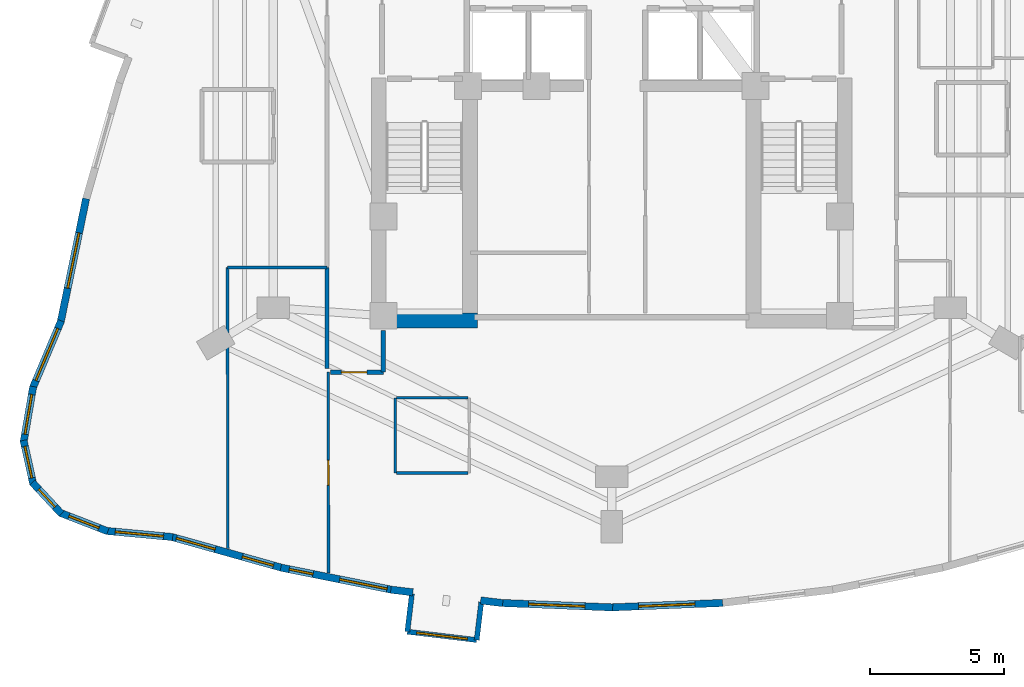
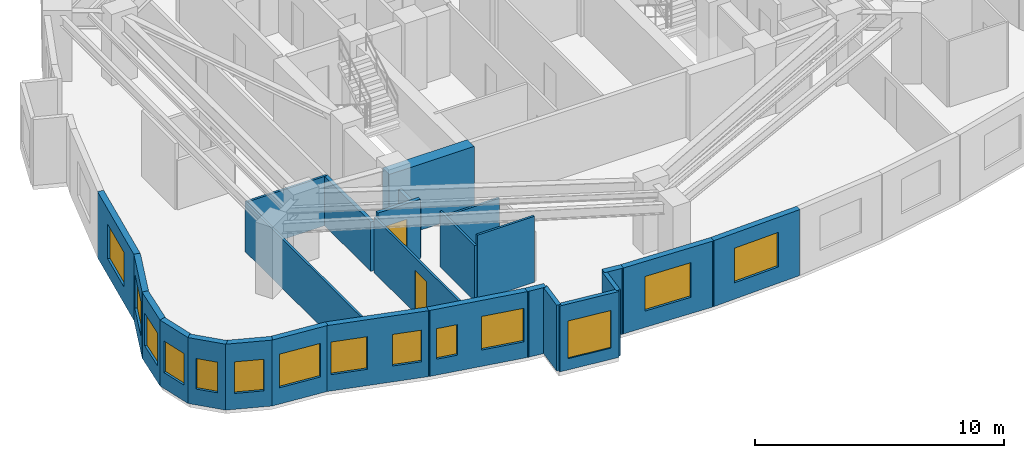
# One storey, part 4 of 10: 26 walls, 14 windows, 2 doors, 16 openings.
"""IFC4 building model written with IfcOpenShell, lengths in metres."""

from ifc_helpers import new_model, si_unit, direction, frame, frame_2d, origin, place, context, subcontext, project, spatial, rectangle, extrude, material, layer, layer_set, type_object, element, fill, save


model = new_model("IFC4")

# Units and contexts
model_context = context("Model", 3, precision=1e-05, world=origin(), true_north=direction((0.0, 1.0)))
body_context = subcontext(model_context, "Body", "Model", "MODEL_VIEW")
ifc_project = project(units=[si_unit("LENGTHUNIT", "METRE"), si_unit("AREAUNIT", "SQUARE_METRE"), si_unit("VOLUMEUNIT", "CUBIC_METRE"), si_unit("PLANEANGLEUNIT", "RADIAN"), si_unit("MASSUNIT", "GRAM", prefix="KILO")], contexts=[model_context])

# Site, building, storey
site_placement = place(None, origin())
site = spatial("IfcSite", under=ifc_project, at=site_placement, CompositionType="ELEMENT")
building_placement = place(site_placement, origin())
building = spatial("IfcBuilding", under=site, at=building_placement, Name="Miruveldt Soraemaru", CompositionType="ELEMENT")
storey_placement = place(building_placement, frame((0.0, 0.0, 124.89990234375)))
storey = spatial("IfcBuildingStorey", under=building, at=storey_placement, Name="L34", CompositionType="ELEMENT", Elevation=124.89990234375)

# Walls
ifc_material_1 = material(Name="White powder-coated aluminium EN AW-6060 T6", Category="aluminium")
ifc_layer_1 = layer(ifc_material_1, 0.18994140625, Name="White powder-coated aluminium EN AW-6060 T6", Category="aluminium")
ifc_layer_set_1 = layer_set([ifc_layer_1], Name="White powder-coated aluminium EN AW-6060 T6")
wall_type_1 = type_object("IfcWallType", Name="WALL-BAY-ALU190", PredefinedType="SOLIDWALL", material=ifc_layer_set_1)
for number, where, z_axis, x_axis, name in (
    (1, (36.5615234375, 25.156005859375, 0.0), (0.0, 0.0, 1.0), (-0.119077659317, -0.992884943511, 0.0), "L34 Bay Window Side Cheek 2L"),
    (2, (38.973388671875, 23.431396484375, 0.0), (0.0, 0.0, 1.0), (0.119077659317, 0.992884943511, 0.0), "L34 Bay Window Side Cheek 2R"),
):
    element("IfcWall", number, at=place(storey_placement, frame(where, z_axis=z_axis, x_axis=x_axis)), inside=storey, type_object=wall_type_1, Name=name, PredefinedType="SOLIDWALL", context=body_context, shape_type="SweptSolid", body=[
        extrude(rectangle(XDim=1.425048828125, YDim=0.18994140625, at=frame_2d((0.71240234375, 0.0))), origin(), (0.0, 0.0, 1.0), 3.235107421875),
    ])

# Wall, opening, window
wall_1_placement = place(storey_placement, frame((36.391845703125, 23.7412109375, 0.0), z_axis=(0.0, 0.0, 1.0), x_axis=(0.99287550549, -0.119156328397, 0.0)))
wall_1 = element("IfcWall", 3, at=wall_1_placement, inside=storey, type_object=wall_type_1, Name="L34 Bay Window Front Frame 2", PredefinedType="SOLIDWALL", context=body_context, shape_type="SweptSolid", body=[
    extrude(rectangle(XDim=2.60009765625, YDim=0.18994140625, at=frame_2d((1.300048828125, 0.0))), origin(), (0.0, 0.0, 1.0), 3.235107421875),
])
opening_1_placement = place(wall_1_placement, frame((0.35009765625, 0.0, 0.550048828125)))
opening_1 = element("IfcOpeningElement", 4, at=opening_1_placement, cuts=wall_1, Name="Opening WN-6", PredefinedType="OPENING", context=body_context, shape_type="SweptSolid", body=[
    extrude(rectangle(XDim=1.89990234375, YDim=1.85009765625, at=frame_2d((0.949951171875, 0.925048828125))), frame((0.0, 0.10498046875, 0.0), z_axis=(0.0, -1.0, 0.0), x_axis=(1.0, 0.0, 0.0)), (0.0, 0.0, 1.0), 0.2099609375),
])
ifc_material_2 = material(Name="Triple low-e insulated glazing", Category="glass")
window_type_1 = type_object("IfcWindowType", Name="WIN-BAYW-1900x1850", PartitioningType="SINGLE_PANEL", PredefinedType="WINDOW", material=ifc_material_2)
window_1_placement = place(opening_1_placement, origin())
window_1 = element("IfcWindow", 5, at=window_1_placement, inside=storey, type_object=window_type_1, Name="L34 Projecting Bay Window 2", OverallHeight=1.85009765625, OverallWidth=1.89990234375, PartitioningType="SINGLE_PANEL", PredefinedType="WINDOW", context=body_context, shape_type="SweptSolid", body=[
    extrude(rectangle(XDim=1.89990234375, YDim=1.85009765625, at=frame_2d((0.949951171875, 0.925048828125))), frame((0.0, 0.030029296875, 0.0), z_axis=(0.0, -1.0, 0.0), x_axis=(1.0, 0.0, 0.0)), (0.0, 0.0, 1.0), 0.06005859375),
])
fill(opening_1, window_1)

# Wall
ifc_material_3 = material(Name="Concrete C70/85 (70 MPa)", Category="concrete")
ifc_layer_2 = layer(ifc_material_3, 0.550048828125, Name="Concrete C70/85 (70 MPa)", Category="concrete")
ifc_layer_set_2 = layer_set([ifc_layer_2], Name="Concrete C70/85 (70 MPa)")
wall_type_2 = type_object("IfcWallType", Name="WALL-CW-550", PredefinedType="SHEAR", material=ifc_layer_set_2)
wall_2_placement = place(storey_placement, frame((35.050048828125, 35.324951171875, 0.0), z_axis=(0.0, 0.0, 1.0), x_axis=(1.0, 0.0, 0.0)))
element("IfcWall", 6, at=wall_2_placement, inside=storey, type_object=wall_type_2, Name="L34 Central Core Shear Wall S1", PredefinedType="SHEAR", context=body_context, shape_type="SweptSolid", body=[
    extrude(rectangle(XDim=3.949951171875, YDim=0.550048828125, at=frame_2d((1.97509765625, 0.0))), origin(), (0.0, 0.0, 1.0), 3.235107421875),
])

# Wall, opening, window
ifc_material_4 = material(Name="Precast concrete C45/55 (45 MPa)", Category="concrete")
ifc_layer_3 = layer(ifc_material_4, 0.27001953125, Name="Precast concrete C45/55 (45 MPa)", Category="concrete")
ifc_layer_set_3 = layer_set([ifc_layer_3], Name="Precast concrete C45/55 (45 MPa)")
wall_type_3 = type_object("IfcWallType", Name="WALL-EXT-PC270", PredefinedType="SOLIDWALL", material=ifc_layer_set_3)
wall_3_placement = place(storey_placement, frame((24.433837890625, 39.861083984375, 0.0), z_axis=(0.0, 0.0, 1.0), x_axis=(-0.201556379957, -0.979476914327, 0.0)))
wall_3 = element("IfcWall", 7, at=wall_3_placement, inside=storey, type_object=wall_type_3, Name="L34 Precast Concrete Facade Wall 14", PredefinedType="SOLIDWALL", context=body_context, shape_type="SweptSolid", body=[
    extrude(rectangle(XDim=4.70947265625, YDim=0.27001953125, at=frame_2d((2.354736328125, 0.0))), origin(), (0.0, 0.0, 1.0), 3.235107421875),
])
opening_2_placement = place(wall_3_placement, frame((1.303955078125, 0.0, 0.800048828125)))
opening_2 = element("IfcOpeningElement", 8, at=opening_2_placement, cuts=wall_3, Name="Opening WN-1", PredefinedType="OPENING", context=body_context, shape_type="SweptSolid", body=[
    extrude(rectangle(XDim=2.10009765625, YDim=1.699951171875, at=frame_2d((1.050048828125, 0.85009765625))), frame((0.0, 0.14501953125, 0.0), z_axis=(0.0, -1.0, 0.0), x_axis=(1.0, 0.0, 0.0)), (0.0, 0.0, 1.0), 0.2900390625),
])
window_type_2 = type_object("IfcWindowType", Name="WIN-PUNCH-2100x1700", PartitioningType="SINGLE_PANEL", PredefinedType="WINDOW", material=ifc_material_2)
window_2_placement = place(opening_2_placement, origin())
window_2 = element("IfcWindow", 9, at=window_2_placement, inside=storey, type_object=window_type_2, Name="L34 Punched Triple-Glazed Window 14.1", OverallHeight=1.699951171875, OverallWidth=2.10009765625, PartitioningType="SINGLE_PANEL", PredefinedType="WINDOW", context=body_context, shape_type="SweptSolid", body=[
    extrude(rectangle(XDim=2.10009765625, YDim=1.699951171875, at=frame_2d((1.050048828125, 0.85009765625))), frame((0.0, 0.030029296875, 0.0), z_axis=(0.0, -1.0, 0.0), x_axis=(1.0, 0.0, 0.0)), (0.0, 0.0, 1.0), 0.06005859375),
])
fill(opening_2, window_2)

wall_4_placement = place(storey_placement, frame((23.505126953125, 35.31494140625, 0.0), z_axis=(0.0, 0.0, 1.0), x_axis=(-0.388620980752, -0.921397706378, 0.0)))
wall_4 = element("IfcWall", 10, at=wall_4_placement, inside=storey, type_object=wall_type_3, Name="L34 Precast Concrete Facade Wall 15", PredefinedType="SOLIDWALL", context=body_context, shape_type="SweptSolid", body=[
    extrude(rectangle(XDim=2.728271484375, YDim=0.27001953125, at=frame_2d((1.3642578125, 0.0))), origin(), (0.0, 0.0, 1.0), 3.235107421875),
])
opening_3_placement = place(wall_4_placement, frame((0.31396484375, 0.0, 0.800048828125)))
opening_3 = element("IfcOpeningElement", 11, at=opening_3_placement, cuts=wall_4, Name="Opening WN-1", PredefinedType="OPENING", context=body_context, shape_type="SweptSolid", body=[
    extrude(rectangle(XDim=2.10009765625, YDim=1.699951171875, at=frame_2d((1.050048828125, 0.85009765625))), frame((0.0, 0.14501953125, 0.0), z_axis=(0.0, -1.0, 0.0), x_axis=(1.0, 0.0, 0.0)), (0.0, 0.0, 1.0), 0.2900390625),
])
window_3_placement = place(opening_3_placement, origin())
window_3 = element("IfcWindow", 12, at=window_3_placement, inside=storey, type_object=window_type_2, Name="L34 Punched Triple-Glazed Window 15.1", OverallHeight=1.699951171875, OverallWidth=2.10009765625, PartitioningType="SINGLE_PANEL", PredefinedType="WINDOW", context=body_context, shape_type="SweptSolid", body=[
    extrude(rectangle(XDim=2.10009765625, YDim=1.699951171875, at=frame_2d((1.050048828125, 0.85009765625))), frame((0.0, 0.030029296875, 0.0), z_axis=(0.0, -1.0, 0.0), x_axis=(1.0, 0.0, 0.0)), (0.0, 0.0, 1.0), 0.06005859375),
])
fill(opening_3, window_3)

wall_5_placement = place(storey_placement, frame((22.46435546875, 32.867919921875, 0.0), z_axis=(0.0, 0.0, 1.0), x_axis=(-0.169234430957, -0.985575825281, 0.0)))
wall_5 = element("IfcWall", 13, at=wall_5_placement, inside=storey, type_object=wall_type_3, Name="L34 Precast Concrete Facade Wall 16", PredefinedType="SOLIDWALL", context=body_context, shape_type="SweptSolid", body=[
    extrude(rectangle(XDim=2.103271484375, YDim=0.27001953125, at=frame_2d((1.0517578125, 0.0))), origin(), (0.0, 0.0, 1.0), 3.235107421875),
])
opening_4_placement = place(wall_5_placement, frame((0.302001953125, 0.0, 0.800048828125)))
opening_4 = element("IfcOpeningElement", 14, at=opening_4_placement, cuts=wall_5, Name="Opening WN-3", PredefinedType="OPENING", context=body_context, shape_type="SweptSolid", body=[
    extrude(rectangle(XDim=1.5, YDim=1.60009765625, at=frame_2d((0.75, 0.800048828125))), frame((0.0, 0.14501953125, 0.0), z_axis=(0.0, -1.0, 0.0), x_axis=(1.0, 0.0, 0.0)), (0.0, 0.0, 1.0), 0.2900390625),
])
window_type_3 = type_object("IfcWindowType", Name="WIN-PUNCH-1500x1600", PartitioningType="SINGLE_PANEL", PredefinedType="WINDOW", material=ifc_material_2)
window_4_placement = place(opening_4_placement, origin())
window_4 = element("IfcWindow", 15, at=window_4_placement, inside=storey, type_object=window_type_3, Name="L34 Punched Triple-Glazed Window 16.1", OverallHeight=1.60009765625, OverallWidth=1.5, PartitioningType="SINGLE_PANEL", PredefinedType="WINDOW", context=body_context, shape_type="SweptSolid", body=[
    extrude(rectangle(XDim=1.5, YDim=1.60009765625, at=frame_2d((0.75, 0.800048828125))), frame((0.0, 0.030029296875, 0.0), z_axis=(0.0, -1.0, 0.0), x_axis=(1.0, 0.0, 0.0)), (0.0, 0.0, 1.0), 0.06005859375),
])
fill(opening_4, window_4)

wall_6_placement = place(storey_placement, frame((22.106689453125, 30.863525390625, 0.0), z_axis=(0.0, 0.0, 1.0), x_axis=(0.215658248495, -0.976468903681, 0.0)))
wall_6 = element("IfcWall", 16, at=wall_6_placement, inside=storey, type_object=wall_type_3, Name="L34 Precast Concrete Facade Wall 17", PredefinedType="SOLIDWALL", context=body_context, shape_type="SweptSolid", body=[
    extrude(rectangle(XDim=1.66650390625, YDim=0.27001953125, at=frame_2d((0.833251953125, 0.0))), origin(), (0.0, 0.0, 1.0), 3.235107421875),
])
opening_5_placement = place(wall_6_placement, frame((0.23291015625, 0.0, 0.780029296875)))
opening_5 = element("IfcOpeningElement", 17, at=opening_5_placement, cuts=wall_6, Name="Opening WN-4", PredefinedType="OPENING", context=body_context, shape_type="SweptSolid", body=[
    extrude(rectangle(XDim=1.199951171875, YDim=1.550048828125, at=frame_2d((0.60009765625, 0.77490234375))), frame((0.0, 0.14501953125, 0.0), z_axis=(0.0, -1.0, 0.0), x_axis=(1.0, 0.0, 0.0)), (0.0, 0.0, 1.0), 0.2900390625),
])
window_type_4 = type_object("IfcWindowType", Name="WIN-PUNCH-1200x1550", PartitioningType="SINGLE_PANEL", PredefinedType="WINDOW", material=ifc_material_2)
window_5_placement = place(opening_5_placement, origin())
window_5 = element("IfcWindow", 18, at=window_5_placement, inside=storey, type_object=window_type_4, Name="L34 Punched Triple-Glazed Window 17.1", OverallHeight=1.550048828125, OverallWidth=1.199951171875, PartitioningType="SINGLE_PANEL", PredefinedType="WINDOW", context=body_context, shape_type="SweptSolid", body=[
    extrude(rectangle(XDim=1.199951171875, YDim=1.550048828125, at=frame_2d((0.60009765625, 0.77490234375))), frame((0.0, 0.030029296875, 0.0), z_axis=(0.0, -1.0, 0.0), x_axis=(1.0, 0.0, 0.0)), (0.0, 0.0, 1.0), 0.06005859375),
])
fill(opening_5, window_5)

wall_7_placement = place(storey_placement, frame((22.434814453125, 29.29638671875, 0.0), z_axis=(0.0, 0.0, 1.0), x_axis=(0.680103285959, -0.733116307572, 0.0)))
wall_7 = element("IfcWall", 19, at=wall_7_placement, inside=storey, type_object=wall_type_3, Name="L34 Precast Concrete Facade Wall 18", PredefinedType="SOLIDWALL", context=body_context, shape_type="SweptSolid", body=[
    extrude(rectangle(XDim=1.5888671875, YDim=0.27001953125, at=frame_2d((0.79443359375, 0.0))), origin(), (0.0, 0.0, 1.0), 3.235107421875),
])
opening_6_placement = place(wall_7_placement, frame((0.343994140625, 0.0, 0.780029296875)))
opening_6 = element("IfcOpeningElement", 20, at=opening_6_placement, cuts=wall_7, Name="Opening WN-7", PredefinedType="OPENING", context=body_context, shape_type="SweptSolid", body=[
    extrude(rectangle(XDim=0.89990234375, YDim=1.5, at=frame_2d((0.449951171875, 0.75))), frame((0.0, 0.14501953125, 0.0), z_axis=(0.0, -1.0, 0.0), x_axis=(1.0, 0.0, 0.0)), (0.0, 0.0, 1.0), 0.2900390625),
])
window_type_5 = type_object("IfcWindowType", Name="WIN-PUNCH-900x1500", PartitioningType="SINGLE_PANEL", PredefinedType="WINDOW", material=ifc_material_2)
window_6_placement = place(opening_6_placement, origin())
window_6 = element("IfcWindow", 21, at=window_6_placement, inside=storey, type_object=window_type_5, Name="L34 Punched Triple-Glazed Window 18.1", OverallHeight=1.5, OverallWidth=0.89990234375, PartitioningType="SINGLE_PANEL", PredefinedType="WINDOW", context=body_context, shape_type="SweptSolid", body=[
    extrude(rectangle(XDim=0.89990234375, YDim=1.5, at=frame_2d((0.449951171875, 0.75))), frame((0.0, 0.030029296875, 0.0), z_axis=(0.0, -1.0, 0.0), x_axis=(1.0, 0.0, 0.0)), (0.0, 0.0, 1.0), 0.06005859375),
])
fill(opening_6, window_6)

wall_8_placement = place(storey_placement, frame((23.458984375, 28.169921875, 0.0), z_axis=(0.0, 0.0, 1.0), x_axis=(0.932274534564, -0.361751561438, 0.0)))
wall_8 = element("IfcWall", 22, at=wall_8_placement, inside=storey, type_object=wall_type_3, Name="L34 Precast Concrete Facade Wall 19", PredefinedType="SOLIDWALL", context=body_context, shape_type="SweptSolid", body=[
    extrude(rectangle(XDim=1.916748046875, YDim=0.27001953125, at=frame_2d((0.95849609375, 0.0))), origin(), (0.0, 0.0, 1.0), 3.235107421875),
])
opening_7_placement = place(wall_8_placement, frame((0.35888671875, 0.0, 0.780029296875)))
opening_7 = element("IfcOpeningElement", 23, at=opening_7_placement, cuts=wall_8, Name="Opening WN-4", PredefinedType="OPENING", context=body_context, shape_type="SweptSolid", body=[
    extrude(rectangle(XDim=1.199951171875, YDim=1.550048828125, at=frame_2d((0.60009765625, 0.77490234375))), frame((0.0, 0.14501953125, 0.0), z_axis=(0.0, -1.0, 0.0), x_axis=(1.0, 0.0, 0.0)), (0.0, 0.0, 1.0), 0.2900390625),
])
window_7_placement = place(opening_7_placement, origin())
window_7 = element("IfcWindow", 24, at=window_7_placement, inside=storey, type_object=window_type_4, Name="L34 Punched Triple-Glazed Window 19.1", OverallHeight=1.550048828125, OverallWidth=1.199951171875, PartitioningType="SINGLE_PANEL", PredefinedType="WINDOW", context=body_context, shape_type="SweptSolid", body=[
    extrude(rectangle(XDim=1.199951171875, YDim=1.550048828125, at=frame_2d((0.60009765625, 0.77490234375))), frame((0.0, 0.030029296875, 0.0), z_axis=(0.0, -1.0, 0.0), x_axis=(1.0, 0.0, 0.0)), (0.0, 0.0, 1.0), 0.06005859375),
])
fill(opening_7, window_7)

wall_9_placement = place(storey_placement, frame((25.178466796875, 27.492431640625, 0.0), z_axis=(0.0, 0.0, 1.0), x_axis=(0.995755492047, -0.092038035932, 0.0)))
wall_9 = element("IfcWall", 25, at=wall_9_placement, inside=storey, type_object=wall_type_3, Name="L34 Precast Concrete Facade Wall 20", PredefinedType="SOLIDWALL", context=body_context, shape_type="SweptSolid", body=[
    extrude(rectangle(XDim=2.49072265625, YDim=0.27001953125, at=frame_2d((1.245361328125, 0.0))), origin(), (0.0, 0.0, 1.0), 3.235107421875),
])
opening_8_placement = place(wall_9_placement, frame((0.345947265625, 0.0, 0.800048828125)))
opening_8 = element("IfcOpeningElement", 26, at=opening_8_placement, cuts=wall_9, Name="Opening WN-2", PredefinedType="OPENING", context=body_context, shape_type="SweptSolid", body=[
    extrude(rectangle(XDim=1.800048828125, YDim=1.64990234375, at=frame_2d((0.89990234375, 0.824951171875))), frame((0.0, 0.14501953125, 0.0), z_axis=(0.0, -1.0, 0.0), x_axis=(1.0, 0.0, 0.0)), (0.0, 0.0, 1.0), 0.2900390625),
])
window_type_6 = type_object("IfcWindowType", Name="WIN-PUNCH-1800x1650", PartitioningType="SINGLE_PANEL", PredefinedType="WINDOW", material=ifc_material_2)
window_8_placement = place(opening_8_placement, origin())
window_8 = element("IfcWindow", 27, at=window_8_placement, inside=storey, type_object=window_type_6, Name="L34 Punched Triple-Glazed Window 20.1", OverallHeight=1.64990234375, OverallWidth=1.800048828125, PartitioningType="SINGLE_PANEL", PredefinedType="WINDOW", context=body_context, shape_type="SweptSolid", body=[
    extrude(rectangle(XDim=1.800048828125, YDim=1.64990234375, at=frame_2d((0.89990234375, 0.824951171875))), frame((0.0, 0.030029296875, 0.0), z_axis=(0.0, -1.0, 0.0), x_axis=(1.0, 0.0, 0.0)), (0.0, 0.0, 1.0), 0.06005859375),
])
fill(opening_8, window_8)

# Wall, openings, windows
wall_10_placement = place(storey_placement, frame((27.590087890625, 27.27587890625, 0.0), z_axis=(0.0, 0.0, 1.0), x_axis=(0.96297692647, -0.269583825714, 0.0)))
wall_10 = element("IfcWall", 28, at=wall_10_placement, inside=storey, type_object=wall_type_3, Name="L34 Precast Concrete Facade Wall 21", PredefinedType="SOLIDWALL", context=body_context, shape_type="SweptSolid", body=[
    extrude(rectangle(XDim=4.321533203125, YDim=0.27001953125, at=frame_2d((2.16064453125, 0.0))), origin(), (0.0, 0.0, 1.0), 3.235107421875),
])
opening_9_placement = place(wall_10_placement, frame((0.2119140625, 0.0, 0.800048828125)))
opening_9 = element("IfcOpeningElement", 29, at=opening_9_placement, cuts=wall_10, Name="Opening WN-3", PredefinedType="OPENING", context=body_context, shape_type="SweptSolid", body=[
    extrude(rectangle(XDim=1.5, YDim=1.60009765625, at=frame_2d((0.75, 0.800048828125))), frame((0.0, 0.14501953125, 0.0), z_axis=(0.0, -1.0, 0.0), x_axis=(1.0, 0.0, 0.0)), (0.0, 0.0, 1.0), 0.2900390625),
])
opening_10_placement = place(wall_10_placement, frame((2.762939453125, 0.0, 0.780029296875)))
opening_10 = element("IfcOpeningElement", 30, at=opening_10_placement, cuts=wall_10, Name="Opening WN-4", PredefinedType="OPENING", context=body_context, shape_type="SweptSolid", body=[
    extrude(rectangle(XDim=1.199951171875, YDim=1.550048828125, at=frame_2d((0.60009765625, 0.77490234375))), frame((0.0, 0.14501953125, 0.0), z_axis=(0.0, -1.0, 0.0), x_axis=(1.0, 0.0, 0.0)), (0.0, 0.0, 1.0), 0.2900390625),
])
window_9_placement = place(opening_10_placement, origin())
window_9 = element("IfcWindow", 31, at=window_9_placement, inside=storey, type_object=window_type_4, Name="L34 Punched Triple-Glazed Window 21.2", OverallHeight=1.550048828125, OverallWidth=1.199951171875, PartitioningType="SINGLE_PANEL", PredefinedType="WINDOW", context=body_context, shape_type="SweptSolid", body=[
    extrude(rectangle(XDim=1.199951171875, YDim=1.550048828125, at=frame_2d((0.60009765625, 0.77490234375))), frame((0.0, 0.030029296875, 0.0), z_axis=(0.0, -1.0, 0.0), x_axis=(1.0, 0.0, 0.0)), (0.0, 0.0, 1.0), 0.06005859375),
])
fill(opening_10, window_9)
window_10_placement = place(opening_9_placement, origin())
window_10 = element("IfcWindow", 32, at=window_10_placement, inside=storey, type_object=window_type_3, Name="L34 Punched Triple-Glazed Window 21.1", OverallHeight=1.60009765625, OverallWidth=1.5, PartitioningType="SINGLE_PANEL", PredefinedType="WINDOW", context=body_context, shape_type="SweptSolid", body=[
    extrude(rectangle(XDim=1.5, YDim=1.60009765625, at=frame_2d((0.75, 0.800048828125))), frame((0.0, 0.030029296875, 0.0), z_axis=(0.0, -1.0, 0.0), x_axis=(1.0, 0.0, 0.0)), (0.0, 0.0, 1.0), 0.06005859375),
])
fill(opening_9, window_10)

wall_11_placement = place(storey_placement, frame((31.68359375, 26.127197265625, 0.0), z_axis=(0.0, 0.0, 1.0), x_axis=(0.980569614244, -0.196171434263, 0.0)))
wall_11 = element("IfcWall", 33, at=wall_11_placement, inside=storey, type_object=wall_type_3, Name="L34 Precast Concrete Facade Wall 22", PredefinedType="SOLIDWALL", context=body_context, shape_type="SweptSolid", body=[
    extrude(rectangle(XDim=4.2451171875, YDim=0.27001953125, at=frame_2d((2.12255859375, 0.0))), origin(), (0.0, 0.0, 1.0), 3.235107421875),
])
opening_11_placement = place(wall_11_placement, frame((0.320068359375, 0.0, 0.780029296875)))
opening_11 = element("IfcOpeningElement", 34, at=opening_11_placement, cuts=wall_11, Name="Opening WN-7", PredefinedType="OPENING", context=body_context, shape_type="SweptSolid", body=[
    extrude(rectangle(XDim=0.89990234375, YDim=1.5, at=frame_2d((0.449951171875, 0.75))), frame((0.0, 0.14501953125, 0.0), z_axis=(0.0, -1.0, 0.0), x_axis=(1.0, 0.0, 0.0)), (0.0, 0.0, 1.0), 0.2900390625),
])
opening_12_placement = place(wall_11_placement, frame((2.23291015625, 0.0, 0.800048828125)))
opening_12 = element("IfcOpeningElement", 35, at=opening_12_placement, cuts=wall_11, Name="Opening WN-2", PredefinedType="OPENING", context=body_context, shape_type="SweptSolid", body=[
    extrude(rectangle(XDim=1.800048828125, YDim=1.64990234375, at=frame_2d((0.89990234375, 0.824951171875))), frame((0.0, 0.14501953125, 0.0), z_axis=(0.0, -1.0, 0.0), x_axis=(1.0, 0.0, 0.0)), (0.0, 0.0, 1.0), 0.2900390625),
])
window_11_placement = place(opening_12_placement, origin())
window_11 = element("IfcWindow", 36, at=window_11_placement, inside=storey, type_object=window_type_6, Name="L34 Punched Triple-Glazed Window 22.2", OverallHeight=1.64990234375, OverallWidth=1.800048828125, PartitioningType="SINGLE_PANEL", PredefinedType="WINDOW", context=body_context, shape_type="SweptSolid", body=[
    extrude(rectangle(XDim=1.800048828125, YDim=1.64990234375, at=frame_2d((0.89990234375, 0.824951171875))), frame((0.0, 0.030029296875, 0.0), z_axis=(0.0, -1.0, 0.0), x_axis=(1.0, 0.0, 0.0)), (0.0, 0.0, 1.0), 0.06005859375),
])
fill(opening_12, window_11)
window_12_placement = place(opening_11_placement, origin())
window_12 = element("IfcWindow", 37, at=window_12_placement, inside=storey, type_object=window_type_5, Name="L34 Punched Triple-Glazed Window 22.1", OverallHeight=1.5, OverallWidth=0.89990234375, PartitioningType="SINGLE_PANEL", PredefinedType="WINDOW", context=body_context, shape_type="SweptSolid", body=[
    extrude(rectangle(XDim=0.89990234375, YDim=1.5, at=frame_2d((0.449951171875, 0.75))), frame((0.0, 0.030029296875, 0.0), z_axis=(0.0, -1.0, 0.0), x_axis=(1.0, 0.0, 0.0)), (0.0, 0.0, 1.0), 0.06005859375),
])
fill(opening_11, window_12)

# Walls
wall_12_placement = place(storey_placement, frame((35.777099609375, 25.3056640625, 0.0), z_axis=(0.0, 0.0, 1.0), x_axis=(0.992857261486, -0.119308249149, 0.0)))
element("IfcWall", 38, at=wall_12_placement, inside=storey, type_object=wall_type_3, Name="L34 Precast Pier Wall 23A", PredefinedType="SOLIDWALL", context=body_context, shape_type="SweptSolid", body=[
    extrude(rectangle(XDim=0.82666015625, YDim=0.27001953125, at=frame_2d((0.413330078125, 0.0))), origin(), (0.0, 0.0, 1.0), 3.235107421875),
])
wall_13_placement = place(storey_placement, frame((39.119873046875, 24.904541015625, 0.0), z_axis=(0.0, 0.0, 1.0), x_axis=(0.992861463322, -0.119273277188, 0.0)))
element("IfcWall", 39, at=wall_13_placement, inside=storey, type_object=wall_type_3, Name="L34 Precast Pier Wall 23B", PredefinedType="SOLIDWALL", context=body_context, shape_type="SweptSolid", body=[
    extrude(rectangle(XDim=0.826904296875, YDim=0.27001953125, at=frame_2d((0.41357421875, 0.0))), origin(), (0.0, 0.0, 1.0), 3.235107421875),
])

# Wall, opening, window
wall_14_placement = place(storey_placement, frame((39.87109375, 24.8115234375, 0.0), z_axis=(0.0, 0.0, 1.0), x_axis=(0.999201426601, -0.039956339662, 0.0)))
wall_14 = element("IfcWall", 40, at=wall_14_placement, inside=storey, type_object=wall_type_3, Name="L34 Precast Concrete Facade Wall 24", PredefinedType="SOLIDWALL", context=body_context, shape_type="SweptSolid", body=[
    extrude(rectangle(XDim=4.167236328125, YDim=0.27001953125, at=frame_2d((2.08349609375, 0.0))), origin(), (0.0, 0.0, 1.0), 3.235107421875),
])
opening_13_placement = place(wall_14_placement, frame((1.032958984375, 0.0, 0.800048828125)))
opening_13 = element("IfcOpeningElement", 41, at=opening_13_placement, cuts=wall_14, Name="Opening WN-1", PredefinedType="OPENING", context=body_context, shape_type="SweptSolid", body=[
    extrude(rectangle(XDim=2.10009765625, YDim=1.699951171875, at=frame_2d((1.050048828125, 0.85009765625))), frame((0.0, 0.14501953125, 0.0), z_axis=(0.0, -1.0, 0.0), x_axis=(1.0, 0.0, 0.0)), (0.0, 0.0, 1.0), 0.2900390625),
])
window_13_placement = place(opening_13_placement, origin())
window_13 = element("IfcWindow", 42, at=window_13_placement, inside=storey, type_object=window_type_2, Name="L34 Punched Triple-Glazed Window 24.1", OverallHeight=1.699951171875, OverallWidth=2.10009765625, PartitioningType="SINGLE_PANEL", PredefinedType="WINDOW", context=body_context, shape_type="SweptSolid", body=[
    extrude(rectangle(XDim=2.10009765625, YDim=1.699951171875, at=frame_2d((1.050048828125, 0.85009765625))), frame((0.0, 0.030029296875, 0.0), z_axis=(0.0, -1.0, 0.0), x_axis=(1.0, 0.0, 0.0)), (0.0, 0.0, 1.0), 0.06005859375),
])
fill(opening_13, window_13)

wall_15_placement = place(storey_placement, frame((43.965087890625, 24.64501953125, 0.0), z_axis=(0.0, 0.0, 1.0), x_axis=(0.999201426601, 0.039956339662, 0.0)))
wall_15 = element("IfcWall", 43, at=wall_15_placement, inside=storey, type_object=wall_type_3, Name="L34 Precast Concrete Facade Wall 25", PredefinedType="SOLIDWALL", context=body_context, shape_type="SweptSolid", body=[
    extrude(rectangle(XDim=4.167236328125, YDim=0.27001953125, at=frame_2d((2.08349609375, 0.0))), origin(), (0.0, 0.0, 1.0), 3.235107421875),
])
opening_14_placement = place(wall_15_placement, frame((1.032958984375, 0.0, 0.800048828125)))
opening_14 = element("IfcOpeningElement", 44, at=opening_14_placement, cuts=wall_15, Name="Opening WN-1", PredefinedType="OPENING", context=body_context, shape_type="SweptSolid", body=[
    extrude(rectangle(XDim=2.10009765625, YDim=1.699951171875, at=frame_2d((1.050048828125, 0.85009765625))), frame((0.0, 0.14501953125, 0.0), z_axis=(0.0, -1.0, 0.0), x_axis=(1.0, 0.0, 0.0)), (0.0, 0.0, 1.0), 0.2900390625),
])
window_14_placement = place(opening_14_placement, origin())
window_14 = element("IfcWindow", 45, at=window_14_placement, inside=storey, type_object=window_type_2, Name="L34 Punched Triple-Glazed Window 25.1", OverallHeight=1.699951171875, OverallWidth=2.10009765625, PartitioningType="SINGLE_PANEL", PredefinedType="WINDOW", context=body_context, shape_type="SweptSolid", body=[
    extrude(rectangle(XDim=2.10009765625, YDim=1.699951171875, at=frame_2d((1.050048828125, 0.85009765625))), frame((0.0, 0.030029296875, 0.0), z_axis=(0.0, -1.0, 0.0), x_axis=(1.0, 0.0, 0.0)), (0.0, 0.0, 1.0), 0.06005859375),
])
fill(opening_14, window_14)

# Wall, opening, door
ifc_material_5 = material(Name="Gypsum plasterboard lining", Category="gypsum")
ifc_layer_4 = layer(ifc_material_5, 0.10009765625, Name="Gypsum plasterboard lining", Category="gypsum")
ifc_layer_set_4 = layer_set([ifc_layer_4], Name="Gypsum plasterboard lining")
wall_type_4 = type_object("IfcWallType", Name="WALL-INT-P100", PredefinedType="PARTITIONING", material=ifc_layer_set_4)
wall_16_placement = place(storey_placement, frame((33.444091796875, 33.39990234375, 0.0), z_axis=(0.0, 0.0, 1.0), x_axis=(0.001861707588, -0.999998267021, 0.0)))
wall_16 = element("IfcWall", 46, at=wall_16_placement, inside=storey, type_object=wall_type_4, Name="L34 Partition Wall 34", PredefinedType="PARTITIONING", context=body_context, shape_type="SweptSolid", body=[
    extrude(rectangle(XDim=7.474853515625, YDim=0.10009765625, at=frame_2d((3.7373046875, 0.0))), origin(), (0.0, 0.0, 1.0), 2.72314453125),
])
opening_15_placement = place(wall_16_placement, frame((3.278076171875, 0.0, 0.0)))
opening_15 = element("IfcOpeningElement", 47, at=opening_15_placement, cuts=wall_16, Name="Opening D3A", PredefinedType="OPENING", context=body_context, shape_type="SweptSolid", body=[
    extrude(rectangle(XDim=0.919921875, YDim=2.10009765625, at=frame_2d((0.4599609375, 1.050048828125))), frame((0.0, 0.06005859375, 0.0), z_axis=(0.0, -1.0, 0.0), x_axis=(1.0, 0.0, 0.0)), (0.0, 0.0, 1.0), 0.1201171875),
])
ifc_material_6 = material(Name="Anodised aluminium EN AW-6063 T6", Category="aluminium")
door_type_1 = type_object("IfcDoorType", Name="DOOR-INT-920", OperationType="NOTDEFINED", PredefinedType="DOOR", material=ifc_material_6)
door_1_placement = place(opening_15_placement, origin())
door_1 = element("IfcDoor", 48, at=door_1_placement, inside=storey, type_object=door_type_1, Name="L34 Unit 3404 BD3 Door", OperationType="SINGLE_SWING_LEFT", OverallHeight=2.10009765625, OverallWidth=0.919921875, PredefinedType="DOOR", context=body_context, shape_type="SweptSolid", body=[
    extrude(rectangle(XDim=0.919921875, YDim=2.10009765625, at=frame_2d((0.4599609375, 1.050048828125))), frame((0.0, 0.02490234375, 0.0), z_axis=(0.0, -1.0, 0.0), x_axis=(1.0, 0.0, 0.0)), (0.0, 0.0, 1.0), 0.050048828125),
])
fill(opening_15, door_1)

# Walls
wall_17_placement = place(storey_placement, frame((29.712890625, 26.8369140625, 0.0), z_axis=(0.0, 0.0, 1.0), x_axis=(-0.001797550556, 0.999998384405, 0.0)))
element("IfcWall", 49, at=wall_17_placement, inside=storey, type_object=wall_type_4, Name="L34 Partition Wall 59", PredefinedType="PARTITIONING", context=body_context, shape_type="SweptSolid", body=[
    extrude(rectangle(XDim=10.4580078125, YDim=0.10009765625, at=frame_2d((5.22900390625, 0.0))), origin(), (0.0, 0.0, 1.0), 2.423095703125),
])
wall_18_placement = place(storey_placement, frame((29.694091796875, 37.294921875, 0.0), z_axis=(0.0, 0.0, 1.0), x_axis=(1.0, 0.0, 0.0)))
element("IfcWall", 50, at=wall_18_placement, inside=storey, type_object=wall_type_4, Name="L34 Partition Wall 60", PredefinedType="PARTITIONING", context=body_context, shape_type="SweptSolid", body=[
    extrude(rectangle(XDim=3.705810546875, YDim=0.10009765625, at=frame_2d((1.85302734375, 0.0))), origin(), (0.0, 0.0, 1.0), 2.423095703125),
])
wall_19_placement = place(storey_placement, frame((35.944091796875, 32.447998046875, 0.0), z_axis=(0.0, 0.0, 1.0), x_axis=(0.0, -1.0, 0.0)))
element("IfcWall", 51, at=wall_19_placement, inside=storey, type_object=wall_type_4, Name="L34 Partition Wall 32", PredefinedType="PARTITIONING", context=body_context, shape_type="SweptSolid", body=[
    extrude(rectangle(XDim=2.800048828125, YDim=0.10009765625, at=frame_2d((1.39990234375, 0.0))), origin(), (0.0, 0.0, 1.0), 2.72314453125),
])
wall_20_placement = place(storey_placement, frame((38.64404296875, 32.447998046875, 0.0), z_axis=(0.0, 0.0, 1.0), x_axis=(-1.0, 0.0, 0.0)))
element("IfcWall", 52, at=wall_20_placement, inside=storey, type_object=wall_type_4, Name="L34 Partition Wall 31", PredefinedType="PARTITIONING", context=body_context, shape_type="SweptSolid", body=[
    extrude(rectangle(XDim=2.650146484375, YDim=0.10009765625, at=frame_2d((1.3251953125, 0.0))), origin(), (0.0, 0.0, 1.0), 2.423095703125),
])
wall_21_placement = place(storey_placement, frame((35.993896484375, 29.64794921875, 0.0), z_axis=(0.0, 0.0, 1.0), x_axis=(1.0, 0.0, 0.0)))
element("IfcWall", 53, at=wall_21_placement, inside=storey, type_object=wall_type_4, Name="L34 Partition Wall 33", PredefinedType="PARTITIONING", context=body_context, shape_type="SweptSolid", body=[
    extrude(rectangle(XDim=2.650146484375, YDim=0.10009765625, at=frame_2d((1.3251953125, 0.0))), origin(), (0.0, 0.0, 1.0), 3.235107421875),
])

# Wall, opening, door
ifc_material_7 = material(Name="Concrete C40/50 (40 MPa)", Category="concrete")
ifc_layer_5 = layer(ifc_material_7, 0.159912109375, Name="Concrete C40/50 (40 MPa)", Category="concrete")
ifc_layer_set_5 = layer_set([ifc_layer_5], Name="Concrete C40/50 (40 MPa)")
wall_type_5 = type_object("IfcWallType", Name="WALL-INT-RC160", PredefinedType="SOLIDWALL", material=ifc_layer_set_5)
wall_22_placement = place(storey_placement, frame((33.529052734375, 33.39990234375, 0.0), z_axis=(0.0, 0.0, 1.0), x_axis=(1.0, 0.0, 0.0)))
wall_22 = element("IfcWall", 54, at=wall_22_placement, inside=storey, type_object=wall_type_5, Name="L34 Partition Wall 4", PredefinedType="SOLIDWALL", context=body_context, shape_type="SweptSolid", body=[
    extrude(rectangle(XDim=1.970947265625, YDim=0.159912109375, at=frame_2d((0.9853515625, 0.0))), origin(), (0.0, 0.0, 1.0), 2.923095703125),
])
opening_16_placement = place(wall_22_placement, frame((0.407958984375, 0.0, 0.0)))
opening_16 = element("IfcOpeningElement", 55, at=opening_16_placement, cuts=wall_22, Name="Opening FD2", PredefinedType="OPENING", context=body_context, shape_type="SweptSolid", body=[
    extrude(rectangle(XDim=0.949951171875, YDim=2.14990234375, at=frame_2d((0.47509765625, 1.074951171875))), frame((0.0, 0.08984375, 0.0), z_axis=(0.0, -1.0, 0.0), x_axis=(1.0, 0.0, 0.0)), (0.0, 0.0, 1.0), 0.179931640625),
])
door_type_2 = type_object("IfcDoorType", Name="DOOR-FD2-950", OperationType="NOTDEFINED", PredefinedType="DOOR", material=ifc_material_6)
door_2_placement = place(opening_16_placement, origin())
door_2 = element("IfcDoor", 56, at=door_2_placement, inside=storey, type_object=door_type_2, Name="L34 Unit 3404 Entrance Fire Door", OperationType="SINGLE_SWING_LEFT", OverallHeight=2.14990234375, OverallWidth=0.949951171875, PredefinedType="DOOR", context=body_context, shape_type="SweptSolid", body=[
    extrude(rectangle(XDim=0.949951171875, YDim=2.14990234375, at=frame_2d((0.47509765625, 1.074951171875))), frame((0.0, 0.02490234375, 0.0), z_axis=(0.0, -1.0, 0.0), x_axis=(1.0, 0.0, 0.0)), (0.0, 0.0, 1.0), 0.050048828125),
])
fill(opening_16, door_2)

# Walls
wall_23_placement = place(storey_placement, frame((33.39990234375, 37.294921875, 0.0), z_axis=(0.0, 0.0, 1.0), x_axis=(0.0, -1.0, 0.0)))
element("IfcWall", 57, at=wall_23_placement, inside=storey, type_object=wall_type_5, Name="L34 Partition Wall 6", PredefinedType="SOLIDWALL", context=body_context, shape_type="SweptSolid", body=[
    extrude(rectangle(XDim=3.7548828125, YDim=0.159912109375, at=frame_2d((1.87744140625, 0.0))), origin(), (0.0, 0.0, 1.0), 2.423095703125),
])
wall_24_placement = place(storey_placement, frame((35.5, 33.39990234375, 0.0), z_axis=(0.0, 0.0, 1.0), x_axis=(0.0, 1.0, 0.0)))
element("IfcWall", 58, at=wall_24_placement, inside=storey, type_object=wall_type_5, Name="L34 Partition Wall 5", PredefinedType="SOLIDWALL", context=body_context, shape_type="SweptSolid", body=[
    extrude(rectangle(XDim=1.544189453125, YDim=0.159912109375, at=frame_2d((0.77197265625, 0.0))), origin(), (0.0, 0.0, 1.0), 2.423095703125),
])

save(model, "model.ifc")
